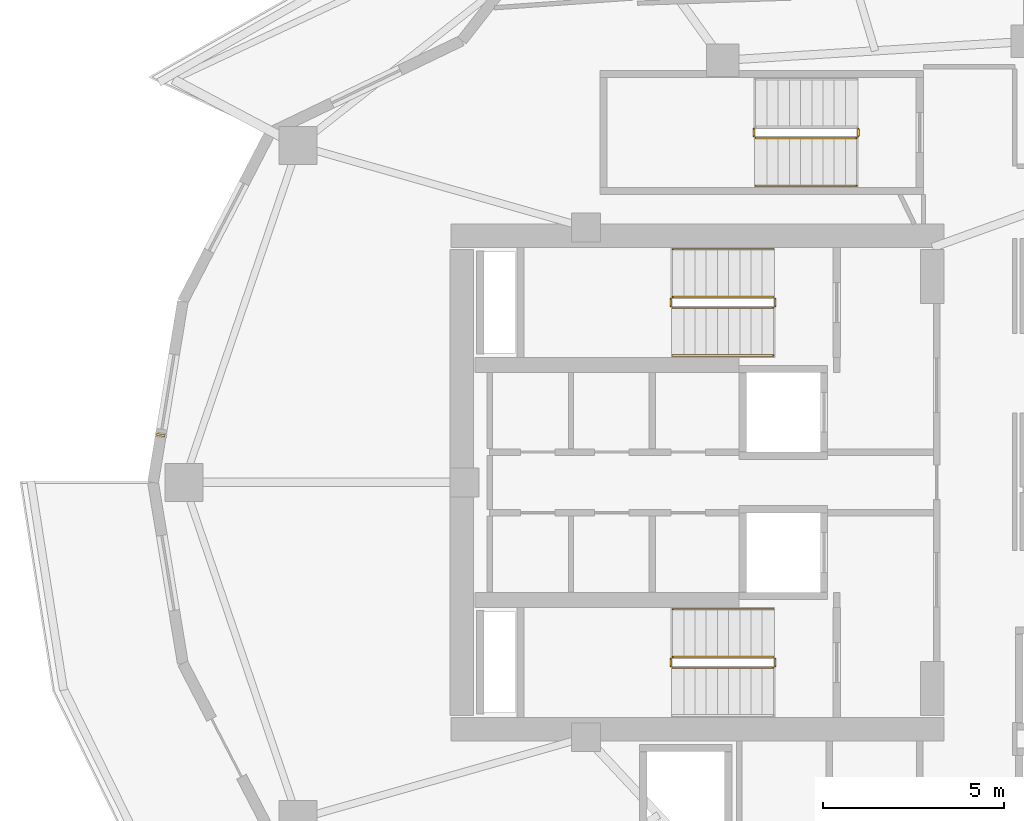
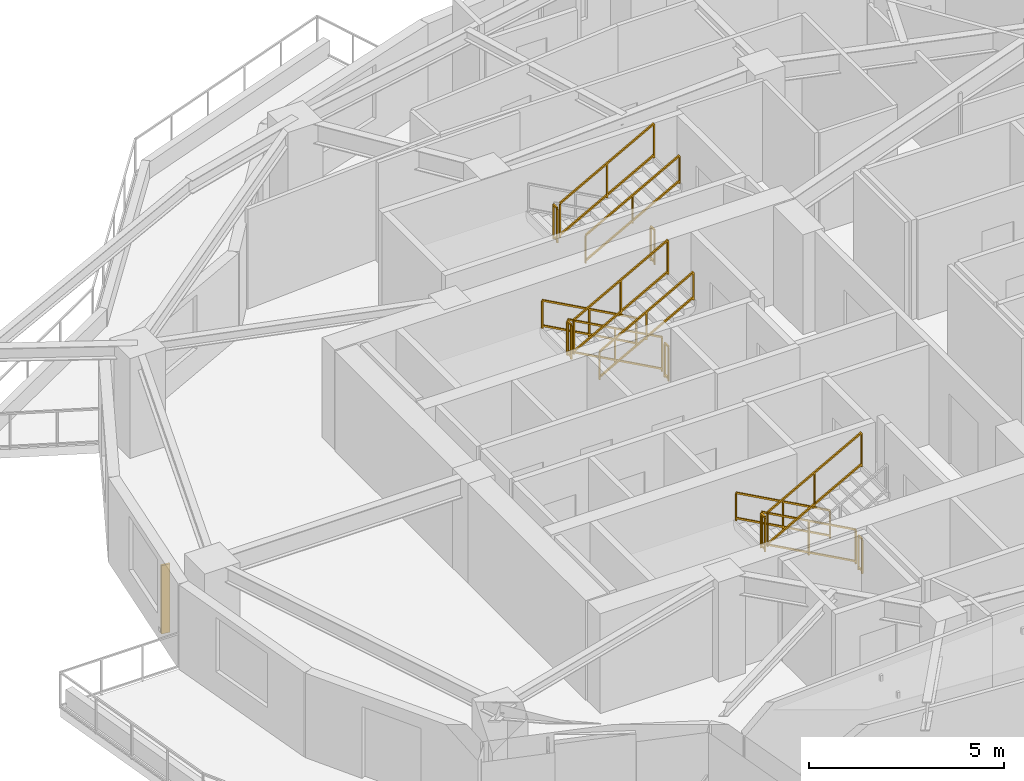
# One storey, part 14 of 17: 15 railings, 1 shading device.
"""IFC4 building model written with IfcOpenShell, lengths in metres."""

from ifc_helpers import new_model, si_unit, direction, frame, origin, origin_2d, place, context, subcontext, project, spatial, rectangle, extrude, material, type_object, element, save


model = new_model("IFC4")

# Units and contexts
model_context = context("Model", 3, precision=1e-05, world=origin(), true_north=direction((0.0, 1.0)))
body_context = subcontext(model_context, "Body", "Model", "MODEL_VIEW")
ifc_project = project(units=[si_unit("LENGTHUNIT", "METRE"), si_unit("AREAUNIT", "SQUARE_METRE"), si_unit("VOLUMEUNIT", "CUBIC_METRE"), si_unit("PLANEANGLEUNIT", "RADIAN"), si_unit("MASSUNIT", "GRAM", prefix="KILO")], contexts=[model_context])

# Site, building, storey
site_placement = place(None, origin())
site = spatial("IfcSite", under=ifc_project, at=site_placement, CompositionType="ELEMENT")
building_placement = place(site_placement, origin())
building = spatial("IfcBuilding", under=site, at=building_placement, Name="Kolvaren Gate Tower and Convention Centre", CompositionType="ELEMENT")
storey_placement = place(building_placement, frame((0.0, 0.0, 125.699951171875)))
storey = spatial("IfcBuildingStorey", under=building, at=storey_placement, Name="L31", CompositionType="ELEMENT", Elevation=125.699951171875)

# Railings
ifc_material_1 = material(Name="Brushed Stainless Steel Grade 316L", Category="steel")
railing_type_1 = type_object("IfcRailingType", Name="ARCH-RL-GUARD-1150", PredefinedType="GUARDRAIL", material=ifc_material_1)
railing_1_placement = place(storey_placement, frame((23.10009765625, 32.1298828125, 0.170166015625)))
element("IfcRailing", 1, at=railing_1_placement, inside=storey, type_object=railing_type_1, Name="L31 ST-T1 stair guard 1", PredefinedType="GUARDRAIL", context=body_context, shape_type="SweptSolid", body=[
    extrude(rectangle(XDim=0.048095703125, YDim=0.048095703125, at=origin_2d()), frame((0.0, 0.0, 1.076171875), z_axis=(-0.876843711699, 0.0, 0.480775524808), x_axis=(0.0, -1.0, 0.0)), (0.0, 0.0, 1.0), 3.181884765625),
    extrude(rectangle(XDim=0.048095703125, YDim=0.048095703125, at=origin_2d()), frame((0.0, 0.0, 0.083984375), z_axis=(-0.876843711699, 0.0, 0.480775524808), x_axis=(0.0, -1.0, 0.0)), (0.0, 0.0, 1.0), 3.181884765625),
    extrude(rectangle(XDim=0.0419921875, YDim=0.0419921875, at=origin_2d()), origin(), (0.0, 0.0, 1.0), 1.050048828125),
    extrude(rectangle(XDim=0.0419921875, YDim=0.0419921875, at=origin_2d()), frame((-2.7900390625, 0.0, 1.52978515625)), (0.0, 0.0, 1.0), 1.050048828125),
    extrude(rectangle(XDim=0.0419921875, YDim=0.0419921875, at=origin_2d()), frame((-1.39501953125, 0.0, 0.764892578125)), (0.0, 0.0, 1.0), 1.050048828125),
])
railing_2_placement = place(storey_placement, frame((20.260009765625, 32.080078125, 1.699951171875)))
element("IfcRailing", 2, at=railing_2_placement, inside=storey, type_object=railing_type_1, Name="L31 ST-T1 stair guard 2", PredefinedType="GUARDRAIL", context=body_context, shape_type="SweptSolid", body=[
    extrude(rectangle(XDim=0.048095703125, YDim=0.048095703125, at=origin_2d()), frame((0.0, 0.0, 1.076171875), z_axis=(0.0, -1.0, 0.0), x_axis=(1.0, 0.0, 0.0)), (0.0, 0.0, 1.0), 0.2001953125),
    extrude(rectangle(XDim=0.048095703125, YDim=0.048095703125, at=origin_2d()), frame((0.0, 0.0, 0.083984375), z_axis=(0.0, -1.0, 0.0), x_axis=(1.0, 0.0, 0.0)), (0.0, 0.0, 1.0), 0.2001953125),
    extrude(rectangle(XDim=0.0419921875, YDim=0.0419921875, at=origin_2d()), origin(), (0.0, 0.0, 1.0), 1.050048828125),
    extrude(rectangle(XDim=0.0419921875, YDim=0.0419921875, at=origin_2d()), frame((0.0, -0.2001953125, 0.0)), (0.0, 0.0, 1.0), 1.050048828125),
])
railing_3_placement = place(storey_placement, frame((20.31005859375, 31.830078125, 1.8701171875)))
element("IfcRailing", 3, at=railing_3_placement, inside=storey, type_object=railing_type_1, Name="L31 ST-T1 stair guard 3", PredefinedType="GUARDRAIL", context=body_context, shape_type="SweptSolid", body=[
    extrude(rectangle(XDim=0.048095703125, YDim=0.048095703125, at=origin_2d()), frame((0.0, 0.0, 1.076171875), z_axis=(0.876811365212, 0.0, 0.480834513982), x_axis=(0.0, 1.0, 0.0)), (0.0, 0.0, 1.0), 3.18212890625),
    extrude(rectangle(XDim=0.048095703125, YDim=0.048095703125, at=origin_2d()), frame((0.0, 0.0, 0.083984375), z_axis=(0.876811365212, 0.0, 0.480834513982), x_axis=(0.0, 1.0, 0.0)), (0.0, 0.0, 1.0), 3.18212890625),
    extrude(rectangle(XDim=0.0419921875, YDim=0.0419921875, at=origin_2d()), origin(), (0.0, 0.0, 1.0), 1.050048828125),
    extrude(rectangle(XDim=0.0419921875, YDim=0.0419921875, at=origin_2d()), frame((2.7900390625, 0.0, 1.530029296875)), (0.0, 0.0, 1.0), 1.050048828125),
    extrude(rectangle(XDim=0.0419921875, YDim=0.0419921875, at=origin_2d()), frame((1.39501953125, 0.0, 0.76513671875)), (0.0, 0.0, 1.0), 1.050048828125),
])
railing_4_placement = place(storey_placement, frame((23.14990234375, 32.080078125, 0.0)))
element("IfcRailing", 4, at=railing_4_placement, inside=storey, type_object=railing_type_1, Name="L31 ST-T1 stair guard 4", PredefinedType="GUARDRAIL", context=body_context, shape_type="SweptSolid", body=[
    extrude(rectangle(XDim=0.048095703125, YDim=0.048095703125, at=origin_2d()), frame((0.0, 0.0, 1.076171875), z_axis=(0.0, -1.0, 0.0), x_axis=(1.0, 0.0, 0.0)), (0.0, 0.0, 1.0), 0.2001953125),
    extrude(rectangle(XDim=0.048095703125, YDim=0.048095703125, at=origin_2d()), frame((0.0, 0.0, 0.083984375), z_axis=(0.0, -1.0, 0.0), x_axis=(1.0, 0.0, 0.0)), (0.0, 0.0, 1.0), 0.2001953125),
    extrude(rectangle(XDim=0.0419921875, YDim=0.0419921875, at=origin_2d()), origin(), (0.0, 0.0, 1.0), 1.050048828125),
    extrude(rectangle(XDim=0.0419921875, YDim=0.0419921875, at=origin_2d()), frame((0.0, -0.2001953125, 0.0)), (0.0, 0.0, 1.0), 1.050048828125),
])
railing_5_placement = place(storey_placement, frame((23.10009765625, 22.169921875, 0.170166015625)))
element("IfcRailing", 5, at=railing_5_placement, inside=storey, type_object=railing_type_1, Name="L31 ST-T2 stair guard 1", PredefinedType="GUARDRAIL", context=body_context, shape_type="SweptSolid", body=[
    extrude(rectangle(XDim=0.048095703125, YDim=0.048095703125, at=origin_2d()), frame((0.0, 0.0, 1.076171875), z_axis=(-0.876843711699, 0.0, 0.480775524808), x_axis=(0.0, -1.0, 0.0)), (0.0, 0.0, 1.0), 3.181884765625),
    extrude(rectangle(XDim=0.048095703125, YDim=0.048095703125, at=origin_2d()), frame((0.0, 0.0, 0.083984375), z_axis=(-0.876843711699, 0.0, 0.480775524808), x_axis=(0.0, -1.0, 0.0)), (0.0, 0.0, 1.0), 3.181884765625),
    extrude(rectangle(XDim=0.0419921875, YDim=0.0419921875, at=origin_2d()), origin(), (0.0, 0.0, 1.0), 1.050048828125),
    extrude(rectangle(XDim=0.0419921875, YDim=0.0419921875, at=origin_2d()), frame((-2.7900390625, 0.0, 1.52978515625)), (0.0, 0.0, 1.0), 1.050048828125),
    extrude(rectangle(XDim=0.0419921875, YDim=0.0419921875, at=origin_2d()), frame((-1.39501953125, 0.0, 0.764892578125)), (0.0, 0.0, 1.0), 1.050048828125),
])
railing_6_placement = place(storey_placement, frame((20.260009765625, 22.1201171875, 1.699951171875)))
element("IfcRailing", 6, at=railing_6_placement, inside=storey, type_object=railing_type_1, Name="L31 ST-T2 stair guard 2", PredefinedType="GUARDRAIL", context=body_context, shape_type="SweptSolid", body=[
    extrude(rectangle(XDim=0.048095703125, YDim=0.048095703125, at=origin_2d()), frame((0.0, 0.0, 1.076171875), z_axis=(0.0, -1.0, 0.0), x_axis=(1.0, 0.0, 0.0)), (0.0, 0.0, 1.0), 0.2001953125),
    extrude(rectangle(XDim=0.048095703125, YDim=0.048095703125, at=origin_2d()), frame((0.0, 0.0, 0.083984375), z_axis=(0.0, -1.0, 0.0), x_axis=(1.0, 0.0, 0.0)), (0.0, 0.0, 1.0), 0.2001953125),
    extrude(rectangle(XDim=0.0419921875, YDim=0.0419921875, at=origin_2d()), origin(), (0.0, 0.0, 1.0), 1.050048828125),
    extrude(rectangle(XDim=0.0419921875, YDim=0.0419921875, at=origin_2d()), frame((0.0, -0.2001953125, 0.0)), (0.0, 0.0, 1.0), 1.050048828125),
])
railing_7_placement = place(storey_placement, frame((20.31005859375, 21.8701171875, 1.8701171875)))
element("IfcRailing", 7, at=railing_7_placement, inside=storey, type_object=railing_type_1, Name="L31 ST-T2 stair guard 3", PredefinedType="GUARDRAIL", context=body_context, shape_type="SweptSolid", body=[
    extrude(rectangle(XDim=0.048095703125, YDim=0.048095703125, at=origin_2d()), frame((0.0, 0.0, 1.076171875), z_axis=(0.876811365212, 0.0, 0.480834513982), x_axis=(0.0, 1.0, 0.0)), (0.0, 0.0, 1.0), 3.18212890625),
    extrude(rectangle(XDim=0.048095703125, YDim=0.048095703125, at=origin_2d()), frame((0.0, 0.0, 0.083984375), z_axis=(0.876811365212, 0.0, 0.480834513982), x_axis=(0.0, 1.0, 0.0)), (0.0, 0.0, 1.0), 3.18212890625),
    extrude(rectangle(XDim=0.0419921875, YDim=0.0419921875, at=origin_2d()), origin(), (0.0, 0.0, 1.0), 1.050048828125),
    extrude(rectangle(XDim=0.0419921875, YDim=0.0419921875, at=origin_2d()), frame((2.7900390625, 0.0, 1.530029296875)), (0.0, 0.0, 1.0), 1.050048828125),
    extrude(rectangle(XDim=0.0419921875, YDim=0.0419921875, at=origin_2d()), frame((1.39501953125, 0.0, 0.76513671875)), (0.0, 0.0, 1.0), 1.050048828125),
])
railing_8_placement = place(storey_placement, frame((23.14990234375, 22.1201171875, 0.0)))
element("IfcRailing", 8, at=railing_8_placement, inside=storey, type_object=railing_type_1, Name="L31 ST-T2 stair guard 4", PredefinedType="GUARDRAIL", context=body_context, shape_type="SweptSolid", body=[
    extrude(rectangle(XDim=0.048095703125, YDim=0.048095703125, at=origin_2d()), frame((0.0, 0.0, 1.076171875), z_axis=(0.0, -1.0, 0.0), x_axis=(1.0, 0.0, 0.0)), (0.0, 0.0, 1.0), 0.2001953125),
    extrude(rectangle(XDim=0.048095703125, YDim=0.048095703125, at=origin_2d()), frame((0.0, 0.0, 0.083984375), z_axis=(0.0, -1.0, 0.0), x_axis=(1.0, 0.0, 0.0)), (0.0, 0.0, 1.0), 0.2001953125),
    extrude(rectangle(XDim=0.0419921875, YDim=0.0419921875, at=origin_2d()), origin(), (0.0, 0.0, 1.0), 1.050048828125),
    extrude(rectangle(XDim=0.0419921875, YDim=0.0419921875, at=origin_2d()), frame((0.0, -0.2001953125, 0.0)), (0.0, 0.0, 1.0), 1.050048828125),
])
railing_9_placement = place(storey_placement, frame((22.56005859375, 36.780029296875, 1.699951171875)))
element("IfcRailing", 9, at=railing_9_placement, inside=storey, type_object=railing_type_1, Name="L31 ST-T3 stair guard 2", PredefinedType="GUARDRAIL", context=body_context, shape_type="SweptSolid", body=[
    extrude(rectangle(XDim=0.048095703125, YDim=0.048095703125, at=origin_2d()), frame((0.0, 0.0, 1.076171875), z_axis=(0.0, -1.0, 0.0), x_axis=(1.0, 0.0, 0.0)), (0.0, 0.0, 1.0), 0.199951171875),
    extrude(rectangle(XDim=0.048095703125, YDim=0.048095703125, at=origin_2d()), frame((0.0, 0.0, 0.083984375), z_axis=(0.0, -1.0, 0.0), x_axis=(1.0, 0.0, 0.0)), (0.0, 0.0, 1.0), 0.199951171875),
    extrude(rectangle(XDim=0.0419921875, YDim=0.0419921875, at=origin_2d()), origin(), (0.0, 0.0, 1.0), 1.050048828125),
    extrude(rectangle(XDim=0.0419921875, YDim=0.0419921875, at=origin_2d()), frame((0.0, -0.199951171875, 0.0)), (0.0, 0.0, 1.0), 1.050048828125),
])
railing_10_placement = place(storey_placement, frame((22.610107421875, 36.530029296875, 1.8701171875)))
element("IfcRailing", 10, at=railing_10_placement, inside=storey, type_object=railing_type_1, Name="L31 ST-T3 stair guard 3", PredefinedType="GUARDRAIL", context=body_context, shape_type="SweptSolid", body=[
    extrude(rectangle(XDim=0.048095703125, YDim=0.048095703125, at=origin_2d()), frame((0.0, 0.0, 1.076171875), z_axis=(0.8767936245, 0.0, 0.480866863109), x_axis=(0.0, 1.0, 0.0)), (0.0, 0.0, 1.0), 3.181884765625),
    extrude(rectangle(XDim=0.048095703125, YDim=0.048095703125, at=origin_2d()), frame((0.0, 0.0, 0.083984375), z_axis=(0.8767936245, 0.0, 0.480866863109), x_axis=(0.0, 1.0, 0.0)), (0.0, 0.0, 1.0), 3.181884765625),
    extrude(rectangle(XDim=0.0419921875, YDim=0.0419921875, at=origin_2d()), origin(), (0.0, 0.0, 1.0), 1.050048828125),
    extrude(rectangle(XDim=0.0419921875, YDim=0.0419921875, at=origin_2d()), frame((2.789794921875, 0.0, 1.530029296875)), (0.0, 0.0, 1.0), 1.050048828125),
    extrude(rectangle(XDim=0.0419921875, YDim=0.0419921875, at=origin_2d()), frame((1.39501953125, 0.0, 0.76513671875)), (0.0, 0.0, 1.0), 1.050048828125),
])
railing_11_placement = place(storey_placement, frame((25.449951171875, 36.780029296875, 0.0)))
element("IfcRailing", 11, at=railing_11_placement, inside=storey, type_object=railing_type_1, Name="L31 ST-T3 stair guard 4", PredefinedType="GUARDRAIL", context=body_context, shape_type="SweptSolid", body=[
    extrude(rectangle(XDim=0.048095703125, YDim=0.048095703125, at=origin_2d()), frame((0.0, 0.0, 1.076171875), z_axis=(0.0, -1.0, 0.0), x_axis=(1.0, 0.0, 0.0)), (0.0, 0.0, 1.0), 0.199951171875),
    extrude(rectangle(XDim=0.048095703125, YDim=0.048095703125, at=origin_2d()), frame((0.0, 0.0, 0.083984375), z_axis=(0.0, -1.0, 0.0), x_axis=(1.0, 0.0, 0.0)), (0.0, 0.0, 1.0), 0.199951171875),
    extrude(rectangle(XDim=0.0419921875, YDim=0.0419921875, at=origin_2d()), origin(), (0.0, 0.0, 1.0), 1.050048828125),
    extrude(rectangle(XDim=0.0419921875, YDim=0.0419921875, at=origin_2d()), frame((0.0, -0.199951171875, 0.0)), (0.0, 0.0, 1.0), 1.050048828125),
])
railing_type_2 = type_object("IfcRailingType", Name="ARCH-RL-HANDRAIL-920", PredefinedType="HANDRAIL", material=ifc_material_1)
railing_12_placement = place(storey_placement, frame((23.10009765625, 33.449951171875, 0.170166015625)))
element("IfcRailing", 12, at=railing_12_placement, inside=storey, type_object=railing_type_2, Name="L31 ST-T1 stair handrail 1", PredefinedType="HANDRAIL", context=body_context, shape_type="SweptSolid", body=[
    extrude(rectangle(XDim=0.048095703125, YDim=0.048095703125, at=origin_2d()), frame((0.0, 0.0, 0.8759765625), z_axis=(-0.876843711699, 0.0, 0.480775524808), x_axis=(0.0, -1.0, 0.0)), (0.0, 0.0, 1.0), 3.181884765625),
    extrude(rectangle(XDim=0.048095703125, YDim=0.048095703125, at=origin_2d()), frame((0.0, 0.0, 0.083984375), z_axis=(-0.876843711699, 0.0, 0.480775524808), x_axis=(0.0, -1.0, 0.0)), (0.0, 0.0, 1.0), 3.181884765625),
    extrude(rectangle(XDim=0.0419921875, YDim=0.0419921875, at=origin_2d()), origin(), (0.0, 0.0, 1.0), 0.849853515625),
    extrude(rectangle(XDim=0.0419921875, YDim=0.0419921875, at=origin_2d()), frame((-2.7900390625, 0.0, 1.52978515625)), (0.0, 0.0, 1.0), 0.849853515625),
    extrude(rectangle(XDim=0.0419921875, YDim=0.0419921875, at=origin_2d()), frame((-1.39501953125, 0.0, 0.764892578125)), (0.0, 0.0, 1.0), 0.849853515625),
])
railing_13_placement = place(storey_placement, frame((20.31005859375, 30.510009765625, 1.8701171875)))
element("IfcRailing", 13, at=railing_13_placement, inside=storey, type_object=railing_type_2, Name="L31 ST-T1 stair handrail 2", PredefinedType="HANDRAIL", context=body_context, shape_type="SweptSolid", body=[
    extrude(rectangle(XDim=0.048095703125, YDim=0.048095703125, at=origin_2d()), frame((0.0, 0.0, 0.8759765625), z_axis=(0.876811365212, 0.0, 0.480834513982), x_axis=(0.0, 1.0, 0.0)), (0.0, 0.0, 1.0), 3.18212890625),
    extrude(rectangle(XDim=0.048095703125, YDim=0.048095703125, at=origin_2d()), frame((0.0, 0.0, 0.083984375), z_axis=(0.876811365212, 0.0, 0.480834513982), x_axis=(0.0, 1.0, 0.0)), (0.0, 0.0, 1.0), 3.18212890625),
    extrude(rectangle(XDim=0.0419921875, YDim=0.0419921875, at=origin_2d()), origin(), (0.0, 0.0, 1.0), 0.849853515625),
    extrude(rectangle(XDim=0.0419921875, YDim=0.0419921875, at=origin_2d()), frame((2.7900390625, 0.0, 1.530029296875)), (0.0, 0.0, 1.0), 0.849853515625),
    extrude(rectangle(XDim=0.0419921875, YDim=0.0419921875, at=origin_2d()), frame((1.39501953125, 0.0, 0.76513671875)), (0.0, 0.0, 1.0), 0.849853515625),
])
railing_14_placement = place(storey_placement, frame((23.10009765625, 23.489990234375, 0.170166015625)))
element("IfcRailing", 14, at=railing_14_placement, inside=storey, type_object=railing_type_2, Name="L31 ST-T2 stair handrail 1", PredefinedType="HANDRAIL", context=body_context, shape_type="SweptSolid", body=[
    extrude(rectangle(XDim=0.048095703125, YDim=0.048095703125, at=origin_2d()), frame((0.0, 0.0, 0.8759765625), z_axis=(-0.876843711699, 0.0, 0.480775524808), x_axis=(0.0, -1.0, 0.0)), (0.0, 0.0, 1.0), 3.181884765625),
    extrude(rectangle(XDim=0.048095703125, YDim=0.048095703125, at=origin_2d()), frame((0.0, 0.0, 0.083984375), z_axis=(-0.876843711699, 0.0, 0.480775524808), x_axis=(0.0, -1.0, 0.0)), (0.0, 0.0, 1.0), 3.181884765625),
    extrude(rectangle(XDim=0.0419921875, YDim=0.0419921875, at=origin_2d()), origin(), (0.0, 0.0, 1.0), 0.849853515625),
    extrude(rectangle(XDim=0.0419921875, YDim=0.0419921875, at=origin_2d()), frame((-2.7900390625, 0.0, 1.52978515625)), (0.0, 0.0, 1.0), 0.849853515625),
    extrude(rectangle(XDim=0.0419921875, YDim=0.0419921875, at=origin_2d()), frame((-1.39501953125, 0.0, 0.764892578125)), (0.0, 0.0, 1.0), 0.849853515625),
])
railing_15_placement = place(storey_placement, frame((22.610107421875, 35.2099609375, 1.8701171875)))
element("IfcRailing", 15, at=railing_15_placement, inside=storey, type_object=railing_type_2, Name="L31 ST-T3 stair handrail 2", PredefinedType="HANDRAIL", context=body_context, shape_type="SweptSolid", body=[
    extrude(rectangle(XDim=0.048095703125, YDim=0.048095703125, at=origin_2d()), frame((0.0, 0.0, 0.8759765625), z_axis=(0.8767936245, 0.0, 0.480866863109), x_axis=(0.0, 1.0, 0.0)), (0.0, 0.0, 1.0), 3.181884765625),
    extrude(rectangle(XDim=0.048095703125, YDim=0.048095703125, at=origin_2d()), frame((0.0, 0.0, 0.083984375), z_axis=(0.8767936245, 0.0, 0.480866863109), x_axis=(0.0, 1.0, 0.0)), (0.0, 0.0, 1.0), 3.181884765625),
    extrude(rectangle(XDim=0.0419921875, YDim=0.0419921875, at=origin_2d()), origin(), (0.0, 0.0, 1.0), 0.849853515625),
    extrude(rectangle(XDim=0.0419921875, YDim=0.0419921875, at=origin_2d()), frame((2.789794921875, 0.0, 1.530029296875)), (0.0, 0.0, 1.0), 0.849853515625),
    extrude(rectangle(XDim=0.0419921875, YDim=0.0419921875, at=origin_2d()), frame((1.39501953125, 0.0, 0.76513671875)), (0.0, 0.0, 1.0), 0.849853515625),
])

# Shading device
ifc_material_2 = material(Name="Kiln-Fired Bogota Terracotta Ceramic Louvre Profile", Category="masonry")
shading_device_type = type_object("IfcShadingDeviceType", Name="ARCH-SHD-FIN-180", PredefinedType="JALOUSIE", material=ifc_material_2)
shading_device_placement = place(storey_placement, frame((6.1533203125, 28.310302734375, 0.22021484375), z_axis=(0.0, 0.0, 1.0), x_axis=(0.162389178836, 0.986726788223, 0.0)))
element("IfcShadingDevice", 16, at=shading_device_placement, inside=storey, type_object=shading_device_type, Name="Ceramic Vertical Brise-Soleil Fin FN-L31-11", PredefinedType="JALOUSIE", context=body_context, shape_type="SweptSolid", body=[
    extrude(rectangle(XDim=0.06005859375, YDim=0.239990234375, at=origin_2d()), origin(), (0.0, 0.0, 1.0), 2.14990234375),
])

save(model, "model.ifc")
